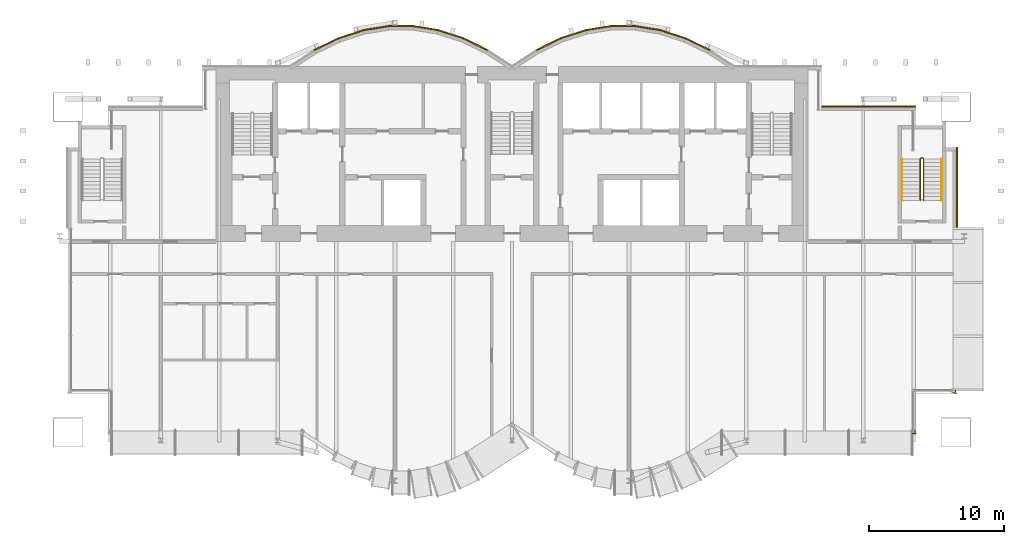
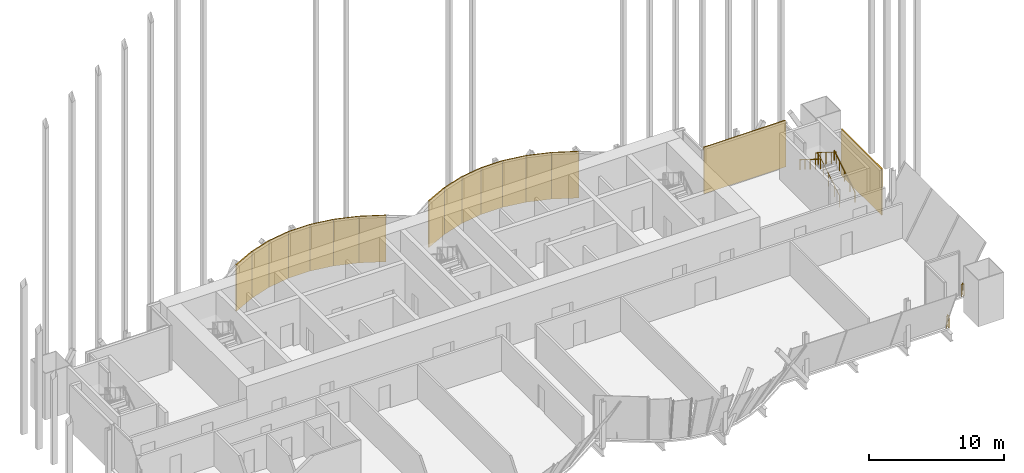
# One storey, part 28 of 28: 16 coverings, 5 railings.
"""IFC4 building model written with IfcOpenShell, lengths in metres."""

import ifcopenshell
import ifcopenshell.guid

model = None  # the IFC model being written
_history = None  # IfcOwnerHistory: only IFC2X3 demands one
_inside = {}  # id of a spatial element -> (the spatial element, [elements in it])
_under = {}  # id of a project, library or spatial element -> (it, [spatial elements below it])
_declared = {}  # id of a project -> (the project, [libraries it declares])
_typed = {}  # id of a type object -> (the type object, [elements of that type])
_made_of = {}  # id of a material, layer set ... -> (it, [elements and type objects made of it])


def new_model(schema):
    """Start an empty IFC model of exactly this schema.

    Asked for "IFC4X3", IfcOpenShell would pick the latest addendum, in which some entities
    have other attributes; the version numbers below select the first issue.
    IFC2X3 requires an IfcOwnerHistory on every rooted entity: one is made here for all.
    """
    global model, _history
    if schema == "IFC4X3":
        model = ifcopenshell.file(schema_version=(4, 3, 0, 0))
    else:
        model = ifcopenshell.file(schema=schema)
    _inside.clear()
    _under.clear()
    _declared.clear()
    _typed.clear()
    _made_of.clear()
    _history = None
    if model.schema == "IFC2X3":
        org = make("IfcOrganization", Name="unknown")
        user = make(
            "IfcPersonAndOrganization",
            ThePerson=make("IfcPerson", FamilyName="unknown"),
            TheOrganization=org,
        )
        app = make(
            "IfcApplication",
            ApplicationDeveloper=org,
            Version="unknown",
            ApplicationFullName="unknown",
            ApplicationIdentifier="unknown",
        )
        _history = make(
            "IfcOwnerHistory",
            OwningUser=user,
            OwningApplication=app,
            ChangeAction="ADDED",
            CreationDate=0,
        )
    return model


def make(cls, **values):
    """One entity of the class cls with the attributes given. An attribute that is None is left unset."""
    return model.create_entity(
        cls, **{name: value for name, value in values.items() if value is not None}
    )


def rooted(cls, **values):
    """An entity with a GlobalId (a new one), such as an element, a storey or a relation."""
    return make(cls, GlobalId=ifcopenshell.guid.new(), OwnerHistory=_history, **values)


def si_unit(unit_type, name, prefix=None):
    """IfcSIUnit, for example si_unit("LENGTHUNIT", "METRE", prefix="MILLI")."""
    return make("IfcSIUnit", UnitType=unit_type, Prefix=prefix, Name=name)


def assignment(units):
    """IfcUnitAssignment: the units of a project."""
    return None if units is None else make("IfcUnitAssignment", Units=units)


def point(xyz):
    """IfcCartesianPoint."""
    return None if xyz is None else make("IfcCartesianPoint", Coordinates=xyz)


def direction(xyz):
    """IfcDirection."""
    return None if xyz is None else make("IfcDirection", DirectionRatios=xyz)


def frame(location, z_axis=None, x_axis=None):
    """IfcAxis2Placement3D, a coordinate frame: its origin and axes. An axis left out is left unset."""
    return make(
        "IfcAxis2Placement3D",
        Location=point(location),
        Axis=direction(z_axis),
        RefDirection=direction(x_axis),
    )


def frame_2d(location, x_axis=None):
    """IfcAxis2Placement2D, a coordinate frame in the plane: its origin and x axis."""
    return make(
        "IfcAxis2Placement2D", Location=point(location), RefDirection=direction(x_axis)
    )


def origin():
    """The frame at (0, 0, 0) with its axes left unset."""
    return frame((0.0, 0.0, 0.0))


def origin_2d():
    """The frame at (0, 0) in the plane with its x axis left unset."""
    return frame_2d((0.0, 0.0))


def place(relative_to, where):
    """IfcLocalPlacement: puts the frame where relative to a parent placement (None: the world)."""
    return make(
        "IfcLocalPlacement", PlacementRelTo=relative_to, RelativePlacement=where
    )


def context(
    kind, dimensions, precision=None, world=None, true_north=None, identifier=None
):
    """IfcGeometricRepresentationContext, for example the 3D "Model" context."""
    return make(
        "IfcGeometricRepresentationContext",
        ContextIdentifier=identifier,
        ContextType=kind,
        CoordinateSpaceDimension=dimensions,
        Precision=precision,
        WorldCoordinateSystem=world,
        TrueNorth=true_north,
    )


def subcontext(parent, identifier, kind, view, scale=None):
    """IfcGeometricRepresentationSubContext, for example "Body" below "Model"."""
    return make(
        "IfcGeometricRepresentationSubContext",
        ContextIdentifier=identifier,
        ContextType=kind,
        ParentContext=parent,
        TargetScale=scale,
        TargetView=view,
    )


def project(units=None, contexts=None):
    """IfcProject with its units and contexts."""
    return rooted(
        "IfcProject",
        Name="project",
        RepresentationContexts=contexts,
        UnitsInContext=assignment(units),
    )


def spatial(cls, under=None, at=None, **own):
    """A site, building, storey or space (cls), placed at a placement, below another one or the project."""
    s = rooted(cls, ObjectPlacement=at, **own)
    if under is not None:
        _under.setdefault(under.id(), (under, []))[1].append(s)
    return s


def profile(cls, at=None, kind="AREA", **sizes):
    """A parametric profile (cls). Its sizes go by their IFC names, for example OverallWidth=200.0."""
    return make(cls, ProfileType=kind, Position=at, **sizes)


def rectangle(**sizes):
    """IfcRectangleProfileDef."""
    return profile("IfcRectangleProfileDef", **sizes)


def circle(**sizes):
    """IfcCircleProfileDef."""
    return profile("IfcCircleProfileDef", **sizes)


def extrude(swept, where, along, depth):
    """IfcExtrudedAreaSolid: the profile swept, set in the frame where, extruded along a direction by depth."""
    return make(
        "IfcExtrudedAreaSolid",
        SweptArea=swept,
        Position=where,
        ExtrudedDirection=direction(along),
        Depth=depth,
    )


def shape(context_of_items, identifier, shape_type, items):
    """IfcShapeRepresentation: the items that make up one representation, for example the "Body"."""
    return make(
        "IfcShapeRepresentation",
        ContextOfItems=context_of_items,
        RepresentationIdentifier=identifier,
        RepresentationType=shape_type,
        Items=items,
    )


def material(Name=None, Category=None):
    """IfcMaterial."""
    return make("IfcMaterial", Name=Name, Category=Category)


def layer(
    of_material, thickness, ventilated=None, Name=None, Category=None, Priority=None
):
    """IfcMaterialLayer: one layer of a wall or slab, of a material (None: an air gap)."""
    return make(
        "IfcMaterialLayer",
        Material=of_material,
        LayerThickness=thickness,
        IsVentilated=ventilated,
        Name=Name,
        Category=Category,
        Priority=Priority,
    )


def layer_set(layers, Name=None):
    """IfcMaterialLayerSet."""
    return make("IfcMaterialLayerSet", MaterialLayers=layers, LayerSetName=Name)


def made_of(thing, what):
    """Note that an element or type object is made of a material, layer set ...; save() writes the relation."""
    if what is not None:
        _made_of.setdefault(what.id(), (what, []))[1].append(thing)
    return thing


def type_object(cls, material=None, **own):
    """A type object (cls), such as IfcWallType, which elements share."""
    return made_of(rooted(cls, **own), material)


def element(
    cls,
    number,
    at=None,
    inside=None,
    cuts=None,
    type_object=None,
    material=None,
    context=None,
    identifier="Body",
    shape_type=None,
    held_by="IfcProductDefinitionShape",
    body=None,
    shapes=None,
    **own,
):
    """One element of the class cls, such as IfcWall. Its Tag is "e" and its number.

    at: its placement. inside: the storey or other place that contains it. cuts: it is an
    opening in that element (IfcRelVoidsElement). A single representation is given by context,
    identifier, shape_type and body (its items); several are given by shapes. held_by: the class
    of the entity that holds the representations. save() writes the other relations.
    """
    e = rooted(cls, Tag="e%d" % number, ObjectPlacement=at, **own)
    if body is not None:
        shapes = [shape(context, identifier, shape_type, body)]
    if shapes is not None:
        e.Representation = make(held_by, Representations=shapes)
    if inside is not None:
        _inside.setdefault(inside.id(), (inside, []))[1].append(e)
    if cuts is not None:
        rooted(
            "IfcRelVoidsElement", RelatingBuildingElement=cuts, RelatedOpeningElement=e
        )
    if type_object is not None:
        _typed.setdefault(type_object.id(), (type_object, []))[1].append(e)
    return made_of(e, material)


def aggregate(whole, parts):
    """IfcRelAggregates: a whole, such as a stair, and the parts it consists of."""
    return rooted("IfcRelAggregates", RelatingObject=whole, RelatedObjects=parts)


def save(model, path):
    """Write the relations noted so far, then the file.

    IfcRelAggregates (storeys below a building ...), IfcRelContainedInSpatialStructure (elements
    in a storey), IfcRelDefinesByType, IfcRelAssociatesMaterial and IfcRelDeclares: one each for
    every whole, place, type object, material and project.
    """
    for whole, parts in _under.values():
        aggregate(whole, parts)
    for where, things in _inside.values():
        rooted(
            "IfcRelContainedInSpatialStructure",
            RelatedElements=things,
            RelatingStructure=where,
        )
    for kind, things in _typed.values():
        rooted("IfcRelDefinesByType", RelatedObjects=things, RelatingType=kind)
    for what, things in _made_of.values():
        rooted("IfcRelAssociatesMaterial", RelatedObjects=things, RelatingMaterial=what)
    for by, libraries in _declared.values():
        rooted("IfcRelDeclares", RelatingContext=by, RelatedDefinitions=libraries)
    model.write(path)


model = new_model("IFC4")

# Units and contexts
model_context = context("Model", 3, precision=1e-05, world=origin(), true_north=direction((0.0, 1.0)))
body_context = subcontext(model_context, "Body", "Model", "MODEL_VIEW")
ifc_project = project(units=[si_unit("LENGTHUNIT", "METRE"), si_unit("AREAUNIT", "SQUARE_METRE"), si_unit("VOLUMEUNIT", "CUBIC_METRE"), si_unit("PLANEANGLEUNIT", "RADIAN"), si_unit("MASSUNIT", "GRAM", prefix="KILO")], contexts=[model_context])

# Site, building, storey
site_placement = place(None, origin())
site = spatial("IfcSite", under=ifc_project, at=site_placement, CompositionType="ELEMENT")
building_placement = place(site_placement, origin())
building = spatial("IfcBuilding", under=site, at=building_placement, Name="Bicima Exchange Tower", CompositionType="ELEMENT")
storey_placement = place(building_placement, frame((0.0, 0.0, 241.39990234375)))
storey = spatial("IfcBuildingStorey", under=building, at=storey_placement, Name="L54", CompositionType="ELEMENT", Elevation=241.39990234375)

# Coverings
ifc_material_1 = material(Name="Bronze metal cladding")
ifc_layer_1 = layer(ifc_material_1, 0.004)
ifc_material_2 = material(Name="Ventilated cavity")
ifc_layer_2 = layer(ifc_material_2, 0.06)
ifc_material_3 = material(Name="Galvanised steel rail and mineral wool", Category="steel")
ifc_layer_3 = layer(ifc_material_3, 0.036)
ifc_layer_set = layer_set([ifc_layer_1, ifc_layer_2, ifc_layer_3], Name="Ventilated cavity")
covering_type = type_object("IfcCoveringType", Name="Bronze metal cladding panel 100", PredefinedType="CLADDING", material=ifc_layer_set)
covering_1_placement = place(storey_placement, frame((33.050048828125, -9.0, -0.14990234375), z_axis=(0.0, 0.0, 1.0), x_axis=(0.0, 1.0, 0.0)))
element("IfcCovering", 1, at=covering_1_placement, inside=storey, type_object=covering_type, Name="Bronze cladding L54 2.1", PredefinedType="CLADDING", context=body_context, shape_type="SweptSolid", body=[
    extrude(rectangle(XDim=6.0, YDim=0.10009765625, at=origin_2d()), origin(), (0.0, 0.0, 1.0), 4.199951171875),
])
covering_2_placement = place(storey_placement, frame((26.5, -2.949951171875, -0.14990234375), z_axis=(0.0, 0.0, 1.0), x_axis=(-1.0, 0.0, 0.0)))
element("IfcCovering", 2, at=covering_2_placement, inside=storey, type_object=covering_type, Name="Bronze cladding L54 5.1", PredefinedType="CLADDING", context=body_context, shape_type="SweptSolid", body=[
    extrude(rectangle(XDim=7.0, YDim=0.10009765625, at=origin_2d()), origin(), (0.0, 0.0, 1.0), 4.199951171875),
])
covering_3_placement = place(storey_placement, frame((13.771728515625, 1.674560546875, -0.14990234375), z_axis=(0.0, 0.0, 1.0), x_axis=(-0.899818346812, 0.436264762204, 0.0)))
element("IfcCovering", 3, at=covering_3_placement, inside=storey, type_object=covering_type, Name="Bronze cladding L54 9.1", PredefinedType="CLADDING", context=body_context, shape_type="SweptSolid", body=[
    extrude(rectangle(XDim=2.03759765625, YDim=0.10009765625, at=origin_2d()), origin(), (0.0, 0.0, 1.0), 4.199951171875),
])
covering_4_placement = place(storey_placement, frame((11.931884765625, 2.41796875, -0.14990234375), z_axis=(0.0, 0.0, 1.0), x_axis=(-0.951524642381, 0.307572519808, 0.0)))
element("IfcCovering", 4, at=covering_4_placement, inside=storey, type_object=covering_type, Name="Bronze cladding L54 10.1", PredefinedType="CLADDING", context=body_context, shape_type="SweptSolid", body=[
    extrude(rectangle(XDim=1.9267578125, YDim=0.10009765625, at=origin_2d()), origin(), (0.0, 0.0, 1.0), 4.199951171875),
])
covering_5_placement = place(storey_placement, frame((10.09130859375, 2.8642578125, -0.14990234375), z_axis=(0.0, 0.0, 1.0), x_axis=(-0.987189786347, 0.159550386184, 0.0)))
element("IfcCovering", 5, at=covering_5_placement, inside=storey, type_object=covering_type, Name="Bronze cladding L54 11.1", PredefinedType="CLADDING", context=body_context, shape_type="SweptSolid", body=[
    extrude(rectangle(XDim=1.857177734375, YDim=0.10009765625, at=origin_2d()), origin(), (0.0, 0.0, 1.0), 4.199951171875),
])
covering_6_placement = place(storey_placement, frame((8.25, 3.012939453125, -0.14990234375), z_axis=(0.0, 0.0, 1.0), x_axis=(-1.0, 0.0, 0.0)))
element("IfcCovering", 6, at=covering_6_placement, inside=storey, type_object=covering_type, Name="Bronze cladding L54 12.1", PredefinedType="CLADDING", context=body_context, shape_type="SweptSolid", body=[
    extrude(rectangle(XDim=1.83349609375, YDim=0.10009765625, at=origin_2d()), origin(), (0.0, 0.0, 1.0), 4.199951171875),
])
covering_7_placement = place(storey_placement, frame((6.40869140625, 2.8642578125, -0.14990234375), z_axis=(0.0, 0.0, 1.0), x_axis=(-0.987189786347, -0.159550386184, 0.0)))
element("IfcCovering", 7, at=covering_7_placement, inside=storey, type_object=covering_type, Name="Bronze cladding L54 13.1", PredefinedType="CLADDING", context=body_context, shape_type="SweptSolid", body=[
    extrude(rectangle(XDim=1.857177734375, YDim=0.10009765625, at=origin_2d()), origin(), (0.0, 0.0, 1.0), 4.199951171875),
])
covering_8_placement = place(storey_placement, frame((4.568115234375, 2.41796875, -0.14990234375), z_axis=(0.0, 0.0, 1.0), x_axis=(-0.951524642381, -0.307572519808, 0.0)))
element("IfcCovering", 8, at=covering_8_placement, inside=storey, type_object=covering_type, Name="Bronze cladding L54 14.1", PredefinedType="CLADDING", context=body_context, shape_type="SweptSolid", body=[
    extrude(rectangle(XDim=1.9267578125, YDim=0.10009765625, at=origin_2d()), origin(), (0.0, 0.0, 1.0), 4.199951171875),
])
for number, where, z_axis, x_axis, name in (
    (9, (2.728271484375, 1.674560546875, -0.14990234375), (0.0, 0.0, 1.0), (-0.899818346812, -0.436264762204, 0.0), "Bronze cladding L54 15.1"),
    (10, (-2.728271484375, 1.674560546875, -0.14990234375), (0.0, 0.0, 1.0), (-0.899818346812, 0.436264762204, 0.0), "Bronze cladding L54 18.1"),
):
    element("IfcCovering", number, at=place(storey_placement, frame(where, z_axis=z_axis, x_axis=x_axis)), inside=storey, type_object=covering_type, Name=name, PredefinedType="CLADDING", context=body_context, shape_type="SweptSolid", body=[
        extrude(rectangle(XDim=2.03759765625, YDim=0.10009765625, at=origin_2d()), origin(), (0.0, 0.0, 1.0), 4.199951171875),
    ])
covering_9_placement = place(storey_placement, frame((-4.568115234375, 2.41796875, -0.14990234375), z_axis=(0.0, 0.0, 1.0), x_axis=(-0.951524642381, 0.307572519808, 0.0)))
element("IfcCovering", 11, at=covering_9_placement, inside=storey, type_object=covering_type, Name="Bronze cladding L54 19.1", PredefinedType="CLADDING", context=body_context, shape_type="SweptSolid", body=[
    extrude(rectangle(XDim=1.9267578125, YDim=0.10009765625, at=origin_2d()), origin(), (0.0, 0.0, 1.0), 4.199951171875),
])
covering_10_placement = place(storey_placement, frame((-6.40869140625, 2.8642578125, -0.14990234375), z_axis=(0.0, 0.0, 1.0), x_axis=(-0.987189786347, 0.159550386184, 0.0)))
element("IfcCovering", 12, at=covering_10_placement, inside=storey, type_object=covering_type, Name="Bronze cladding L54 20.1", PredefinedType="CLADDING", context=body_context, shape_type="SweptSolid", body=[
    extrude(rectangle(XDim=1.857177734375, YDim=0.10009765625, at=origin_2d()), origin(), (0.0, 0.0, 1.0), 4.199951171875),
])
covering_11_placement = place(storey_placement, frame((-8.25, 3.012939453125, -0.14990234375), z_axis=(0.0, 0.0, 1.0), x_axis=(-1.0, 0.0, 0.0)))
element("IfcCovering", 13, at=covering_11_placement, inside=storey, type_object=covering_type, Name="Bronze cladding L54 21.1", PredefinedType="CLADDING", context=body_context, shape_type="SweptSolid", body=[
    extrude(rectangle(XDim=1.83349609375, YDim=0.10009765625, at=origin_2d()), origin(), (0.0, 0.0, 1.0), 4.199951171875),
])
covering_12_placement = place(storey_placement, frame((-10.09130859375, 2.8642578125, -0.14990234375), z_axis=(0.0, 0.0, 1.0), x_axis=(-0.987189786347, -0.159550386184, 0.0)))
element("IfcCovering", 14, at=covering_12_placement, inside=storey, type_object=covering_type, Name="Bronze cladding L54 22.1", PredefinedType="CLADDING", context=body_context, shape_type="SweptSolid", body=[
    extrude(rectangle(XDim=1.857177734375, YDim=0.10009765625, at=origin_2d()), origin(), (0.0, 0.0, 1.0), 4.199951171875),
])
covering_13_placement = place(storey_placement, frame((-11.931884765625, 2.41796875, -0.14990234375), z_axis=(0.0, 0.0, 1.0), x_axis=(-0.951524642381, -0.307572519808, 0.0)))
element("IfcCovering", 15, at=covering_13_placement, inside=storey, type_object=covering_type, Name="Bronze cladding L54 23.1", PredefinedType="CLADDING", context=body_context, shape_type="SweptSolid", body=[
    extrude(rectangle(XDim=1.9267578125, YDim=0.10009765625, at=origin_2d()), origin(), (0.0, 0.0, 1.0), 4.199951171875),
])
covering_14_placement = place(storey_placement, frame((-13.771728515625, 1.674560546875, -0.14990234375), z_axis=(0.0, 0.0, 1.0), x_axis=(-0.899818346812, -0.436264762204, 0.0)))
element("IfcCovering", 16, at=covering_14_placement, inside=storey, type_object=covering_type, Name="Bronze cladding L54 24.1", PredefinedType="CLADDING", context=body_context, shape_type="SweptSolid", body=[
    extrude(rectangle(XDim=2.03759765625, YDim=0.10009765625, at=origin_2d()), origin(), (0.0, 0.0, 1.0), 4.199951171875),
])

# Railings
ifc_material_4 = material(Name="Stainless steel and bonded safety glass", Category="steel")
railing_type_1 = type_object("IfcRailingType", Name="Edge guard 1100", PredefinedType="GUARDRAIL", material=ifc_material_4)
railing_1_placement = place(storey_placement, frame((29.949951171875, -27.0380859375, 0.0)))
element("IfcRailing", 17, at=railing_1_placement, inside=storey, type_object=railing_type_1, Name="Edge guard L54 273", PredefinedType="GUARDRAIL", context=body_context, shape_type="SweptSolid", body=[
    extrude(circle(Radius=0.02392578125, at=origin_2d()), frame((0.0, 0.0, 1.076171875), z_axis=(0.0, -1.0, 0.0), x_axis=(1.0, 0.0, 0.0)), (0.0, 0.0, 1.0), 0.25),
    extrude(circle(Radius=0.02392578125, at=origin_2d()), frame((0.0, -0.25, 1.076171875), z_axis=(0.707106781187, 0.707106781187, 0.0), x_axis=(-0.707106781187, 0.707106781187, 0.0)), (0.0, 0.0, 1.0), 0.07080078125),
    extrude(circle(Radius=0.02392578125, at=origin_2d()), frame((0.050048828125, -0.199951171875, 1.076171875), z_axis=(-1.0, 0.0, 0.0), x_axis=(0.0, -1.0, 0.0)), (0.0, 0.0, 1.0), 0.248046875),
    extrude(circle(Radius=0.02099609375, at=origin_2d()), origin(), (0.0, 0.0, 1.0), 1.052001953125),
    extrude(circle(Radius=0.02099609375, at=origin_2d()), frame((0.0, -0.25, 0.0)), (0.0, 0.0, 1.0), 1.052001953125),
    extrude(circle(Radius=0.02099609375, at=origin_2d()), frame((0.050048828125, -0.199951171875, 0.0)), (0.0, 0.0, 1.0), 1.052001953125),
    extrude(circle(Radius=0.02099609375, at=origin_2d()), frame((-0.197998046875, -0.199951171875, 0.0)), (0.0, 0.0, 1.0), 1.052001953125),
])
railing_2_placement = place(storey_placement, frame((32.949951171875, -24.041015625, 0.0)))
element("IfcRailing", 18, at=railing_2_placement, inside=storey, type_object=railing_type_1, Name="Edge guard L54 276", PredefinedType="GUARDRAIL", context=body_context, shape_type="SweptSolid", body=[
    extrude(circle(Radius=0.02392578125, at=origin_2d()), frame((0.0, 0.0, 1.076171875), z_axis=(0.0, -1.0, 0.0), x_axis=(1.0, 0.0, 0.0)), (0.0, 0.0, 1.0), 0.2470703125),
    extrude(circle(Radius=0.02392578125, at=origin_2d()), frame((0.0, -0.2470703125, 1.076171875), z_axis=(0.707106781187, 0.707106781187, 0.0), x_axis=(-0.707106781187, 0.707106781187, 0.0)), (0.0, 0.0, 1.0), 0.07080078125),
    extrude(circle(Radius=0.02392578125, at=origin_2d()), frame((0.050048828125, -0.197021484375, 1.076171875), z_axis=(-1.0, 0.0, 0.0), x_axis=(0.0, -1.0, 0.0)), (0.0, 0.0, 1.0), 0.25),
    extrude(circle(Radius=0.02099609375, at=origin_2d()), origin(), (0.0, 0.0, 1.0), 1.052001953125),
    extrude(circle(Radius=0.02099609375, at=origin_2d()), frame((0.0, -0.2470703125, 0.0)), (0.0, 0.0, 1.0), 1.052001953125),
    extrude(circle(Radius=0.02099609375, at=origin_2d()), frame((0.050048828125, -0.197021484375, 0.0)), (0.0, 0.0, 1.0), 1.052001953125),
    extrude(circle(Radius=0.02099609375, at=origin_2d()), frame((-0.199951171875, -0.197021484375, 0.0)), (0.0, 0.0, 1.0), 1.052001953125),
])
ifc_material_5 = material(Name="Stainless steel", Category="steel")
railing_type_2 = type_object("IfcRailingType", Name="Stair guard 1100", PredefinedType="GUARDRAIL", material=ifc_material_5)
railing_3_placement = place(storey_placement, frame((30.574951171875, -9.925048828125, 0.175048828125)))
element("IfcRailing", 19, at=railing_3_placement, inside=storey, type_object=railing_type_2, Name="L54 ST-EE stair guard 1", PredefinedType="GUARDRAIL", context=body_context, shape_type="SweptSolid", body=[
    extrude(circle(Radius=0.02392578125, at=origin_2d()), frame((0.0, 0.0, 1.076171875), z_axis=(0.0, 0.847998304005, 0.529998940003), x_axis=(-1.0, 0.0, 0.0)), (0.0, 0.0, 1.0), 3.632080078125),
    extrude(circle(Radius=0.02392578125, at=origin_2d()), frame((0.0, 3.080078125, 3.0009765625), z_axis=(-0.707106781187, 0.707106781187, 0.0), x_axis=(-0.707106781187, -0.707106781187, 0.0)), (0.0, 0.0, 1.0), 0.07080078125),
    extrude(circle(Radius=0.02392578125, at=origin_2d()), frame((-0.050048828125, 3.130126953125, 3.0009765625), z_axis=(-1.0, 0.0, 0.0), x_axis=(0.0, -1.0, 0.0)), (0.0, 0.0, 1.0), 0.14990234375),
    extrude(circle(Radius=0.02392578125, at=origin_2d()), frame((-0.199951171875, 3.130126953125, 3.0009765625), z_axis=(-0.265065253269, -0.265065253269, 0.927081885822), x_axis=(0.707106781187, -0.707106781187, 0.0)), (0.0, 0.0, 1.0), 0.188720703125),
    extrude(circle(Radius=0.02392578125, at=origin_2d()), frame((-0.25, 3.080078125, 3.17626953125), z_axis=(0.0, -0.847998304005, 0.529998940003), x_axis=(1.0, 0.0, 0.0)), (0.0, 0.0, 1.0), 3.632080078125),
    extrude(circle(Radius=0.02099609375, at=origin_2d()), origin(), (0.0, 0.0, 1.0), 1.052001953125),
    extrude(circle(Radius=0.02099609375, at=origin_2d()), frame((0.0, 0.77001953125, 0.481201171875)), (0.0, 0.0, 1.0), 1.052001953125),
    extrude(circle(Radius=0.02099609375, at=origin_2d()), frame((0.0, 1.5400390625, 0.96240234375)), (0.0, 0.0, 1.0), 1.052001953125),
    extrude(circle(Radius=0.02099609375, at=origin_2d()), frame((0.0, 2.31005859375, 1.44384765625)), (0.0, 0.0, 1.0), 1.052001953125),
    extrude(circle(Radius=0.02099609375, at=origin_2d()), frame((0.0, 3.080078125, 1.925048828125)), (0.0, 0.0, 1.0), 1.052001953125),
    extrude(circle(Radius=0.02099609375, at=origin_2d()), frame((-0.050048828125, 3.130126953125, 1.925048828125)), (0.0, 0.0, 1.0), 1.052001953125),
    extrude(circle(Radius=0.02099609375, at=origin_2d()), frame((-0.199951171875, 3.130126953125, 1.925048828125)), (0.0, 0.0, 1.0), 1.052001953125),
    extrude(circle(Radius=0.02099609375, at=origin_2d()), frame((-0.25, 3.080078125, 2.10009765625)), (0.0, 0.0, 1.0), 1.052001953125),
    extrude(circle(Radius=0.02099609375, at=origin_2d()), frame((-0.25, 2.31005859375, 2.581298828125)), (0.0, 0.0, 1.0), 1.052001953125),
    extrude(circle(Radius=0.02099609375, at=origin_2d()), frame((-0.25, 1.5400390625, 3.0625)), (0.0, 0.0, 1.0), 1.052001953125),
    extrude(circle(Radius=0.02099609375, at=origin_2d()), frame((-0.25, 0.77001953125, 3.5439453125)), (0.0, 0.0, 1.0), 1.052001953125),
    extrude(circle(Radius=0.02099609375, at=origin_2d()), frame((-0.25, 0.0, 4.025146484375)), (0.0, 0.0, 1.0), 1.052001953125),
])
railing_type_3 = type_object("IfcRailingType", Name="Stair handrail 900", PredefinedType="HANDRAIL", material=ifc_material_5)
railing_4_placement = place(storey_placement, frame((31.925048828125, -9.925048828125, 0.175048828125)))
element("IfcRailing", 20, at=railing_4_placement, inside=storey, type_object=railing_type_3, Name="L54 ST-EE stair handrail 1", PredefinedType="HANDRAIL", context=body_context, shape_type="SweptSolid", body=[
    extrude(circle(Radius=0.02392578125, at=origin_2d()), frame((0.0, 0.0, 0.8759765625), z_axis=(0.0, 0.847998304005, 0.529998940003), x_axis=(-1.0, 0.0, 0.0)), (0.0, 0.0, 1.0), 3.632080078125),
    extrude(circle(Radius=0.02099609375, at=origin_2d()), origin(), (0.0, 0.0, 1.0), 0.851806640625),
    extrude(circle(Radius=0.02099609375, at=origin_2d()), frame((0.0, 0.77001953125, 0.481201171875)), (0.0, 0.0, 1.0), 0.851806640625),
    extrude(circle(Radius=0.02099609375, at=origin_2d()), frame((0.0, 1.5400390625, 0.96240234375)), (0.0, 0.0, 1.0), 0.851806640625),
    extrude(circle(Radius=0.02099609375, at=origin_2d()), frame((0.0, 2.31005859375, 1.44384765625)), (0.0, 0.0, 1.0), 0.851806640625),
    extrude(circle(Radius=0.02099609375, at=origin_2d()), frame((0.0, 3.080078125, 1.925048828125)), (0.0, 0.0, 1.0), 0.851806640625),
])
railing_5_placement = place(storey_placement, frame((28.97509765625, -6.844970703125, 2.30419921875)))
element("IfcRailing", 21, at=railing_5_placement, inside=storey, type_object=railing_type_3, Name="L54 ST-EE stair handrail 2", PredefinedType="HANDRAIL", context=body_context, shape_type="SweptSolid", body=[
    extrude(circle(Radius=0.02392578125, at=origin_2d()), frame((0.0, 0.0, 0.8759765625), z_axis=(0.0, -0.848028513186, 0.529950602248), x_axis=(1.0, 0.0, 0.0)), (0.0, 0.0, 1.0), 3.632080078125),
    extrude(circle(Radius=0.02099609375, at=origin_2d()), origin(), (0.0, 0.0, 1.0), 0.851806640625),
    extrude(circle(Radius=0.02099609375, at=origin_2d()), frame((0.0, -0.77001953125, 0.481201171875)), (0.0, 0.0, 1.0), 0.851806640625),
    extrude(circle(Radius=0.02099609375, at=origin_2d()), frame((0.0, -1.5400390625, 0.96240234375)), (0.0, 0.0, 1.0), 0.851806640625),
    extrude(circle(Radius=0.02099609375, at=origin_2d()), frame((0.0, -2.31005859375, 1.443603515625)), (0.0, 0.0, 1.0), 0.851806640625),
    extrude(circle(Radius=0.02099609375, at=origin_2d()), frame((0.0, -3.080078125, 1.9248046875)), (0.0, 0.0, 1.0), 0.851806640625),
])

save(model, "model.ifc")
